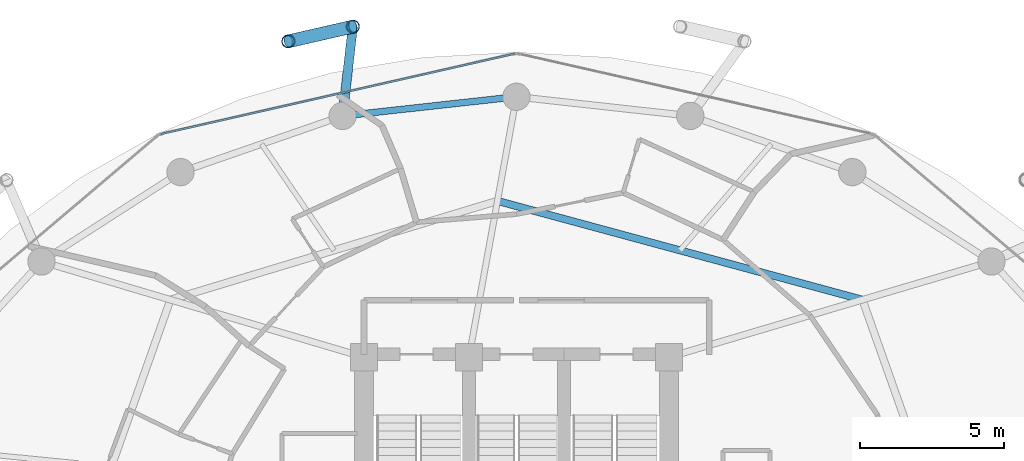
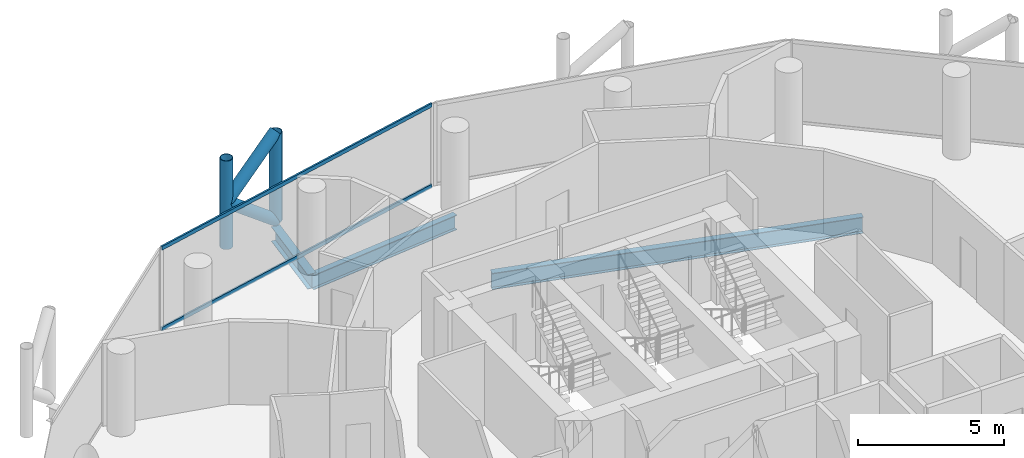
# One storey, part 16 of 26: 6 members, 3 beams, 1 element without a shape of its own.
"""IFC4 building model written with IfcOpenShell, lengths in metres."""

from ifc_helpers import new_model, si_unit, direction, frame, origin, origin_2d, place, context, subcontext, project, spatial, hollow_rectangle, hollow_circle, i_section, extrude, material, layer, layer_set, material_profile, profile_set, type_object, element, aggregate, save


model = new_model("IFC4")

# Units and contexts
model_context = context("Model", 3, precision=1e-05, world=origin(), true_north=direction((0.0, 1.0)))
body_context = subcontext(model_context, "Body", "Model", "MODEL_VIEW")
ifc_project = project(units=[si_unit("LENGTHUNIT", "METRE"), si_unit("AREAUNIT", "SQUARE_METRE"), si_unit("VOLUMEUNIT", "CUBIC_METRE"), si_unit("PLANEANGLEUNIT", "RADIAN"), si_unit("MASSUNIT", "GRAM", prefix="KILO")], contexts=[model_context])

# Site, building, storey
site_placement = place(None, origin())
site = spatial("IfcSite", under=ifc_project, at=site_placement, CompositionType="ELEMENT")
building_placement = place(site_placement, origin())
building = spatial("IfcBuilding", under=site, at=building_placement, Name="Nuhasar Tower", CompositionType="ELEMENT")
storey_placement = place(building_placement, frame((0.0, 0.0, 125.64990234375)))
storey = spatial("IfcBuildingStorey", under=building, at=storey_placement, Name="L29", CompositionType="ELEMENT", Elevation=125.64990234375)

# Beams
ifc_material_1 = material(Name="Steel S355", Category="steel")
ifc_material_profile_1 = material_profile(ifc_material_1, i_section(OverallWidth=0.25390625, OverallDepth=0.68408203125, WebThickness=0.012451171875, FlangeThickness=0.018798828125, at=origin_2d()), Name="W27X94")
ifc_profile_set_1 = profile_set([ifc_material_profile_1], Name="Steel S355")
beam_type_1 = type_object("IfcBeamType", Name="BM-INRING-W27X94", PredefinedType="BEAM", material=ifc_profile_set_1)
beam_1_placement = place(storey_placement, frame((51.027099609375, 39.2939453125, -0.591796875), z_axis=(-0.96522695776, 0.261413312618, 0.0), x_axis=(-0.261413312618, -0.96522695776, 0.0)))
element("IfcBeam", 1, at=beam_1_placement, inside=storey, type_object=beam_type_1, Name="L29 Inner Header Beam 05", PredefinedType="BEAM", context=body_context, shape_type="SweptSolid", body=[
    extrude(i_section(OverallWidth=0.25390625, OverallDepth=0.68408203125, WebThickness=0.012451171875, FlangeThickness=0.018798828125, at=origin_2d()), origin(), (0.0, 0.0, 1.0), 13.14404296875),
])
ifc_material_profile_2 = material_profile(ifc_material_1, i_section(OverallWidth=0.22998046875, OverallDepth=0.616943359375, WebThickness=0.01318359375, FlangeThickness=0.022216796875, at=origin_2d()), Name="W24X94")
ifc_profile_set_2 = profile_set([ifc_material_profile_2], Name="Steel S355")
beam_type_2 = type_object("IfcBeamType", Name="BM-RING-W24X94", PredefinedType="SPANDREL", material=ifc_profile_set_2)
beam_2_placement = place(storey_placement, frame((39.0, 46.35009765625, -0.557861328125), z_axis=(-0.993981289157, -0.109549974015, 0.0), x_axis=(0.109549974015, -0.993981289157, 0.0)))
element("IfcBeam", 2, at=beam_2_placement, inside=storey, type_object=beam_type_2, Name="L29 Perimeter Ring Spandrel 07", PredefinedType="SPANDREL", context=body_context, shape_type="SweptSolid", body=[
    extrude(i_section(OverallWidth=0.22998046875, OverallDepth=0.616943359375, WebThickness=0.01318359375, FlangeThickness=0.022216796875, at=origin_2d()), origin(), (0.0, 0.0, 1.0), 6.07958984375),
])
ifc_material_profile_3 = material_profile(ifc_material_1, i_section(OverallWidth=0.323974609375, OverallDepth=0.611083984375, WebThickness=0.0126953125, FlangeThickness=0.01904296875, at=origin_2d()), Name="W24X104")
ifc_profile_set_3 = profile_set([ifc_material_profile_3], Name="Steel S355")
beam_type_3 = type_object("IfcBeamType", Name="BM-TIE-W24X104", PredefinedType="BEAM", material=ifc_profile_set_3)
beam_3_placement = place(storey_placement, frame((32.95703125, 45.68408203125, -0.554931640625), z_axis=(0.114167639647, 0.993461499031, 0.0), x_axis=(-0.993461499031, 0.114167639647, 0.0)))
element("IfcBeam", 3, at=beam_3_placement, inside=storey, type_object=beam_type_3, Name="L29 Exoskeleton Node Tie Beam 04", PredefinedType="BEAM", context=body_context, shape_type="SweptSolid", body=[
    extrude(i_section(OverallWidth=0.323974609375, OverallDepth=0.611083984375, WebThickness=0.0126953125, FlangeThickness=0.01904296875, at=origin_2d()), origin(), (0.0, 0.0, 1.0), 3.12646484375),
])

# Curtain wall, members
ifc_material_2 = material(Name="Aluminium 6063-T6", Category="aluminium")
ifc_layer = layer(ifc_material_2, 0.199951171875)
ifc_layer_set = layer_set([ifc_layer], Name="Aluminium 6063-T6")
curtain_wall_type = type_object("IfcCurtainWallType", Name="CW-Z2-HTL", PredefinedType="NOTDEFINED", material=ifc_layer_set)
curtain_wall_placement = place(storey_placement, origin())
curtain_wall = element("IfcCurtainWall", 4, at=curtain_wall_placement, inside=storey, type_object=curtain_wall_type, Name="L29 Unitised Curtain Wall 04", PredefinedType="NOTDEFINED")
ifc_material_profile_4 = material_profile(ifc_material_2, hollow_rectangle(XDim=0.070068359375, YDim=0.159912109375, WallThickness=0.00439453125, at=origin_2d()), Name="CWT-3")
ifc_profile_set_4 = profile_set([ifc_material_profile_4], Name="Aluminium 6063-T6")
member_type_1 = type_object("IfcMemberType", Name="CW-TRN-S3", PredefinedType="USERDEFINED", material=ifc_profile_set_4)
member_1_placement = place(storey_placement, frame((38.931640625, 47.844482421875, 0.03515625), z_axis=(-0.975183434528, -0.221398439519, 0.0), x_axis=(0.221398439519, -0.975183434528, 0.0)))
member_1 = element("IfcMember", 5, at=member_1_placement, type_object=member_type_1, Name="CW-Z2 transom 1.1", ObjectType="TRANSOM", PredefinedType="USERDEFINED", context=body_context, shape_type="SweptSolid", body=[
    extrude(hollow_rectangle(XDim=0.070068359375, YDim=0.159912109375, WallThickness=0.00439453125, at=origin_2d()), origin(), (0.0, 0.0, 1.0), 12.606201171875),
])
member_2_placement = place(storey_placement, frame((38.931640625, 47.844482421875, 3.4150390625), z_axis=(-0.975183434528, -0.221398439519, 0.0), x_axis=(0.221398439519, -0.975183434528, 0.0)))
member_2 = element("IfcMember", 6, at=member_2_placement, type_object=member_type_1, Name="CW-Z2 transom 1.2", ObjectType="TRANSOM", PredefinedType="USERDEFINED", context=body_context, shape_type="SweptSolid", body=[
    extrude(hollow_rectangle(XDim=0.070068359375, YDim=0.159912109375, WallThickness=0.00439453125, at=origin_2d()), origin(), (0.0, 0.0, 1.0), 12.606201171875),
])
aggregate(curtain_wall, [member_1, member_2])

# Members
ifc_material_3 = material(Name="Steel S460", Category="steel")
ifc_material_profile_5 = material_profile(ifc_material_3, hollow_circle(Radius=0.228515625, WallThickness=0.022216796875, at=origin_2d()), Name="HSS457X22.2")
ifc_profile_set_5 = profile_set([ifc_material_profile_5], Name="Steel S460")
member_type_2 = type_object("IfcMemberType", Name="EXO-BRONZE-457", PredefinedType="BRACE", material=ifc_profile_set_5)
for number, where, z_axis, x_axis, name in (
    (7, (33.31396484375, 48.7900390625, 0.0), (0.0, 0.0, 1.0), (1.0, 0.0, 0.0), "L29 Exoskeleton Chord Column EC-04A"),
    (8, (31.072021484375, 48.27587890625, 0.0), (0.0, 0.0, 1.0), (1.0, 0.0, 0.0), "L29 Exoskeleton Chord Column EC-04B"),
):
    element("IfcMember", number, at=place(storey_placement, frame(where, z_axis=z_axis, x_axis=x_axis)), inside=storey, type_object=member_type_2, Name=name, PredefinedType="BRACE", context=body_context, shape_type="SweptSolid", body=[
        extrude(hollow_circle(Radius=0.228515625, WallThickness=0.022216796875, at=origin_2d()), origin(), (0.0, 0.0, 1.0), 3.7001953125),
    ])
for number, where, z_axis, x_axis, name in (
    (9, (33.31396484375, 48.7900390625, 0.0), (-0.759499549084, -0.174181209885, 0.626754609927), (0.223533724104, -0.974696195842, 0.0), "L29 Bronze Diagrid Brace W1-04"),
    (10, (31.072021484375, 48.27587890625, 1.85009765625), (0.759499549084, 0.174181209885, 0.626754609927), (-0.223533724104, 0.974696195842, 0.0), "L29 Bronze Diagrid Brace W2-04"),
):
    element("IfcMember", number, at=place(storey_placement, frame(where, z_axis=z_axis, x_axis=x_axis)), inside=storey, type_object=member_type_2, Name=name, PredefinedType="BRACE", context=body_context, shape_type="SweptSolid", body=[
        extrude(hollow_circle(Radius=0.228515625, WallThickness=0.022216796875, at=origin_2d()), origin(), (0.0, 0.0, 1.0), 2.951904296875),
    ])

save(model, "model.ifc")
